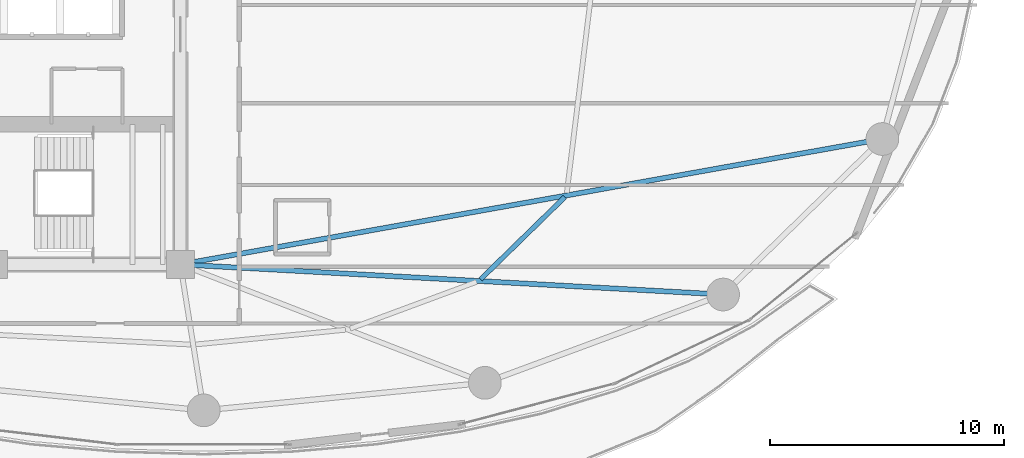
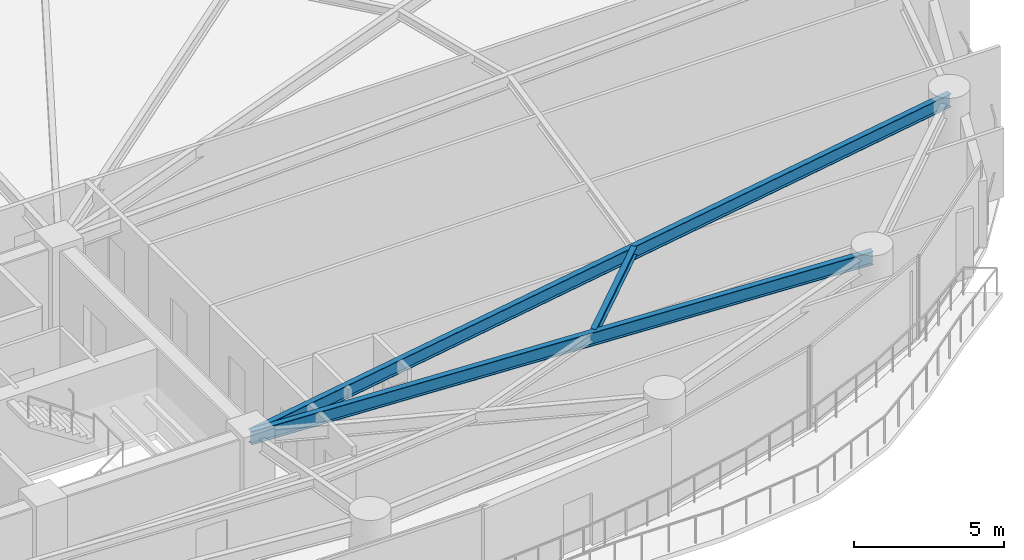
# One storey, part 13 of 31: 3 beams.
"""IFC4 building model written with IfcOpenShell, lengths in metres."""

from ifc_helpers import new_model, si_unit, direction, frame, origin, origin_2d, place, context, subcontext, project, spatial, i_section, extrude, material, material_profile, profile_set, type_object, element, save


model = new_model("IFC4")

# Units and contexts
model_context = context("Model", 3, precision=1e-05, world=origin(), true_north=direction((0.0, 1.0)))
body_context = subcontext(model_context, "Body", "Model", "MODEL_VIEW")
ifc_project = project(units=[si_unit("LENGTHUNIT", "METRE"), si_unit("AREAUNIT", "SQUARE_METRE"), si_unit("VOLUMEUNIT", "CUBIC_METRE"), si_unit("PLANEANGLEUNIT", "RADIAN"), si_unit("MASSUNIT", "GRAM", prefix="KILO")], contexts=[model_context])

# Site, building, storey
site_placement = place(None, origin())
site = spatial("IfcSite", under=ifc_project, at=site_placement, CompositionType="ELEMENT")
building_placement = place(site_placement, origin())
building = spatial("IfcBuilding", under=site, at=building_placement, Name="Kazevale Care Tower and Concert Hall", CompositionType="ELEMENT")
storey_placement = place(building_placement, frame((0.0, 0.0, 78.0)))
storey = spatial("IfcBuildingStorey", under=building, at=storey_placement, Name="L20", CompositionType="ELEMENT", Elevation=78.0)

# Beams
ifc_material = material(Name="Steel ASTM A572 Gr 50", Category="steel")
ifc_material_profile_1 = material_profile(ifc_material, i_section(OverallWidth=0.2119140625, OverallDepth=0.5439453125, WebThickness=0.01318359375, FlangeThickness=0.021240234375, at=origin_2d()), Name="W530x123")
ifc_profile_set_1 = profile_set([ifc_material_profile_1], Name="Steel ASTM A572 Gr 50")
beam_type_1 = type_object("IfcBeamType", Name="Radial Floor Girder W530x123", PredefinedType="BEAM", material=ifc_profile_set_1)
beam_1_placement = place(storey_placement, frame((44.0, 23.60009765625, 3.087890625), z_axis=(0.998462901796, -0.055424125948, 0.0), x_axis=(0.055424125948, 0.998462901796, 0.0)))
element("IfcBeam", 1, at=beam_1_placement, inside=storey, type_object=beam_type_1, Name="beam:L20:rad:15", PredefinedType="BEAM", context=body_context, shape_type="SweptSolid", body=[
    extrude(i_section(OverallWidth=0.2119140625, OverallDepth=0.5439453125, WebThickness=0.01318359375, FlangeThickness=0.021240234375, at=origin_2d()), origin(), (0.0, 0.0, 1.0), 23.27587890625),
])
beam_2_placement = place(storey_placement, frame((44.0, 23.60009765625, 3.087890625), z_axis=(0.984416208219, 0.175854283415, 0.0), x_axis=(-0.175854283415, 0.984416208219, 0.0)))
element("IfcBeam", 2, at=beam_2_placement, inside=storey, type_object=beam_type_1, Name="beam:L20:rad:16", PredefinedType="BEAM", context=body_context, shape_type="SweptSolid", body=[
    extrude(i_section(OverallWidth=0.2119140625, OverallDepth=0.5439453125, WebThickness=0.01318359375, FlangeThickness=0.021240234375, at=origin_2d()), origin(), (0.0, 0.0, 1.0), 30.535888671875),
])
ifc_material_profile_2 = material_profile(ifc_material, i_section(OverallWidth=0.205078125, OverallDepth=0.35400390625, WebThickness=0.009521484375, FlangeThickness=0.016845703125, at=origin_2d()), Name="W360x79")
ifc_profile_set_2 = profile_set([ifc_material_profile_2], Name="Steel ASTM A572 Gr 50")
beam_type_2 = type_object("IfcBeamType", Name="Secondary Floor Joist W360x79", PredefinedType="JOIST", material=ifc_profile_set_2)
beam_3_placement = place(storey_placement, frame((56.85693359375, 22.964111328125, 3.18310546875), z_axis=(0.715521089339, 0.698591132717, 0.0), x_axis=(-0.698591132717, 0.715521089339, 0.0)))
element("IfcBeam", 3, at=beam_3_placement, inside=storey, type_object=beam_type_2, Name="beam:L20:joist:15", PredefinedType="JOIST", context=body_context, shape_type="SweptSolid", body=[
    extrude(i_section(OverallWidth=0.205078125, OverallDepth=0.35400390625, WebThickness=0.009521484375, FlangeThickness=0.016845703125, at=origin_2d()), origin(), (0.0, 0.0, 1.0), 5.03271484375),
])

save(model, "model.ifc")
